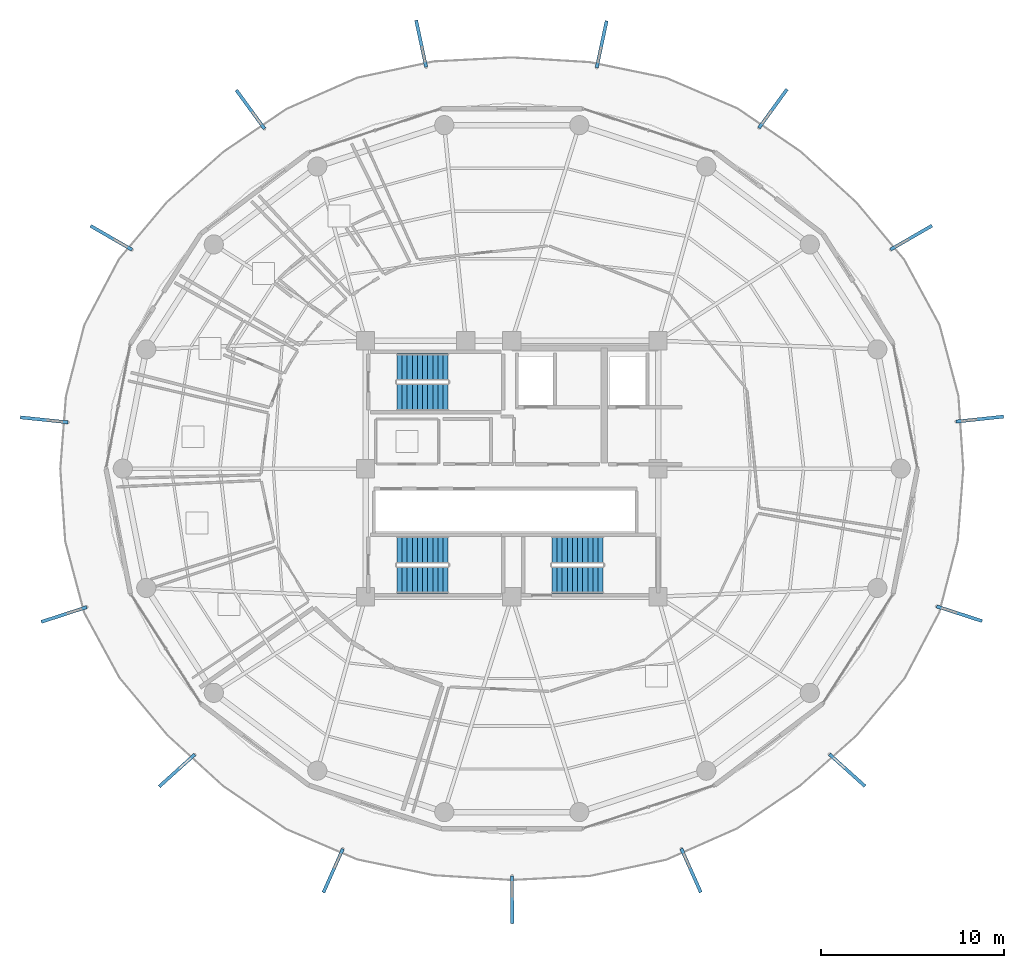
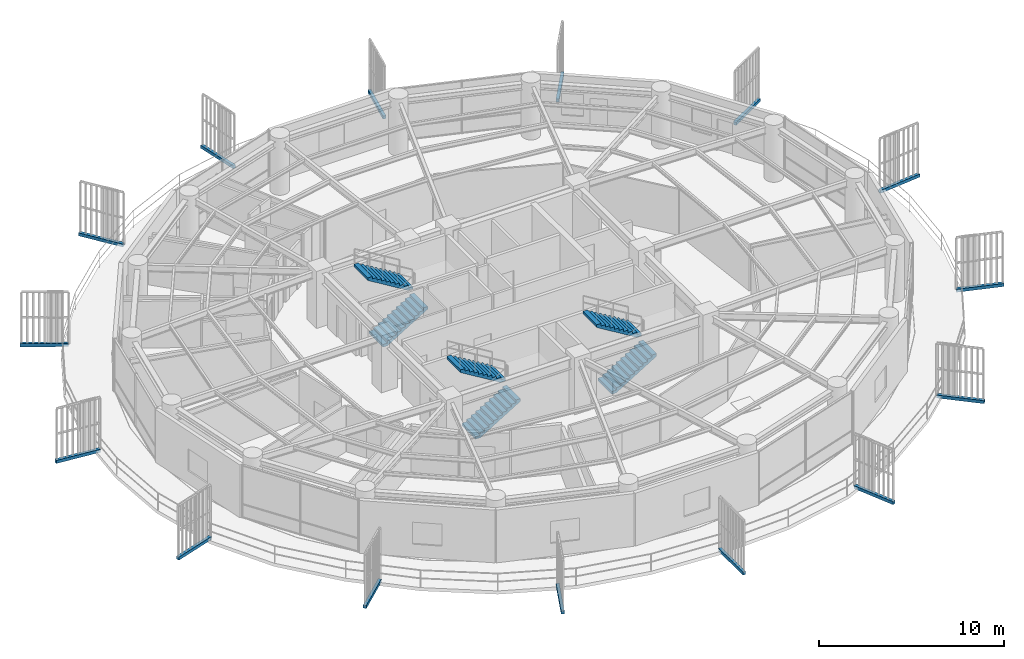
# One storey, part 27 of 31: 15 discrete accessories, 6 stair flights, 3 elements without a shape of their own.
"""IFC4 building model written with IfcOpenShell, lengths in metres."""

from ifc_helpers import new_model, si_unit, direction, frame, origin, origin_2d, place, context, subcontext, project, spatial, polyline, rectangle, outline, extrude, source, transform, mapped, material, type_object, element, aggregate, save


model = new_model("IFC4")

# Units and contexts
model_context = context("Model", 3, precision=1e-05, world=origin(), true_north=direction((0.0, 1.0)))
body_context = subcontext(model_context, "Body", "Model", "MODEL_VIEW")
ifc_project = project(units=[si_unit("LENGTHUNIT", "METRE"), si_unit("AREAUNIT", "SQUARE_METRE"), si_unit("VOLUMEUNIT", "CUBIC_METRE"), si_unit("PLANEANGLEUNIT", "RADIAN"), si_unit("MASSUNIT", "GRAM", prefix="KILO")], contexts=[model_context])

# Site, building, storey
site_placement = place(None, origin())
site = spatial("IfcSite", under=ifc_project, at=site_placement, CompositionType="ELEMENT")
building_placement = place(site_placement, origin())
building = spatial("IfcBuilding", under=site, at=building_placement, Name="Kelanora Arch Commons", CompositionType="ELEMENT")
storey_placement = place(building_placement, frame((0.0, 0.0, 226.949951171875)))
storey = spatial("IfcBuildingStorey", under=building, at=storey_placement, Name="L58", CompositionType="ELEMENT", Elevation=226.949951171875)

# Stair, stair flights
ifc_material_1 = material(Name="Concrete C40/50", Category="concrete")
stair_type = type_object("IfcStairType", Name="STR-DL-375", PredefinedType="HALF_TURN_STAIR", material=ifc_material_1)
stair_1_placement = place(storey_placement, origin())
stair_1 = element("IfcStair", 1, at=stair_1_placement, inside=storey, type_object=stair_type, Name="L58 ST-T1", PredefinedType="HALF_TURN_STAIR")
stair_flight_type = type_object("IfcStairFlightType", Name="FLT-DL-375", PredefinedType="STRAIGHT", material=ifc_material_1)
stair_flight_1_placement = place(storey_placement, frame((67.719970703125, 61.919921875, 0.0), z_axis=(0.0, 0.0, 1.0), x_axis=(1.0, 0.0, 0.0)))
stair_flight_1 = element("IfcStairFlight", 2, at=stair_flight_1_placement, type_object=stair_flight_type, Name="ST-T1 flight 1", NumberOfRisers=11, NumberOfTreads=10, PredefinedType="STRAIGHT", RiserHeight=0.170454545, TreadLength=0.28, context=body_context, shape_type="SweptSolid", body=[
    extrude(outline(polyline([(0.0, 0.0), (0.0, 0.17041015625), (0.280029296875, 0.17041015625), (0.280029296875, 0.3408203125), (0.56005859375, 0.3408203125), (0.56005859375, 0.511474609375), (0.840087890625, 0.511474609375), (0.840087890625, 0.681884765625), (1.1201171875, 0.681884765625), (1.1201171875, 0.852294921875), (1.39990234375, 0.852294921875), (1.39990234375, 1.022705078125), (1.679931640625, 1.022705078125), (1.679931640625, 1.193115234375), (1.9599609375, 1.193115234375), (1.9599609375, 1.363525390625), (2.239990234375, 1.363525390625), (2.239990234375, 1.5341796875), (2.52001953125, 1.5341796875), (2.52001953125, 1.70458984375), (2.800048828125, 1.70458984375), (2.800048828125, 1.875), (2.800048828125, 1.529052734375), (0.288330078125, 0.0), (0.0, 0.0)])), frame((0.0, 0.739990234375, 0.0), z_axis=(0.0, -1.0, 0.0), x_axis=(1.0, 0.0, 0.0)), (0.0, 0.0, 1.0), 1.47998046875),
])
stair_flight_2_placement = place(storey_placement, frame((70.52001953125, 63.550048828125, 1.875), z_axis=(0.0, 0.0, 1.0), x_axis=(-1.0, 0.0, 0.0)))
stair_flight_2 = element("IfcStairFlight", 3, at=stair_flight_2_placement, type_object=stair_flight_type, Name="ST-T1 flight 2", NumberOfRisers=11, NumberOfTreads=10, PredefinedType="STRAIGHT", RiserHeight=0.170454545, TreadLength=0.28, context=body_context, shape_type="SweptSolid", body=[
    extrude(outline(polyline([(0.0, 0.0), (0.0, 0.17041015625), (0.280029296875, 0.17041015625), (0.280029296875, 0.3408203125), (0.56005859375, 0.3408203125), (0.56005859375, 0.511474609375), (0.840087890625, 0.511474609375), (0.840087890625, 0.681884765625), (1.1201171875, 0.681884765625), (1.1201171875, 0.852294921875), (1.39990234375, 0.852294921875), (1.39990234375, 1.022705078125), (1.679931640625, 1.022705078125), (1.679931640625, 1.193115234375), (1.9599609375, 1.193115234375), (1.9599609375, 1.363525390625), (2.239990234375, 1.363525390625), (2.239990234375, 1.5341796875), (2.52001953125, 1.5341796875), (2.52001953125, 1.70458984375), (2.800048828125, 1.70458984375), (2.800048828125, 1.875), (2.800048828125, 1.529052734375), (0.288330078125, 0.0), (0.0, 0.0)])), frame((0.0, 0.739990234375, 0.0), z_axis=(0.0, -1.0, 0.0), x_axis=(1.0, 0.0, 0.0)), (0.0, 0.0, 1.0), 1.47998046875),
])
aggregate(stair_1, [stair_flight_1, stair_flight_2])

stair_2_placement = place(storey_placement, origin())
stair_2 = element("IfcStair", 4, at=stair_2_placement, inside=storey, type_object=stair_type, Name="L58 ST-T2", PredefinedType="HALF_TURN_STAIR")
stair_flight_3_placement = place(storey_placement, frame((76.199951171875, 51.919921875, 0.0), z_axis=(0.0, 0.0, 1.0), x_axis=(1.0, 0.0, 0.0)))
stair_flight_3 = element("IfcStairFlight", 5, at=stair_flight_3_placement, type_object=stair_flight_type, Name="ST-T2 flight 1", NumberOfRisers=11, NumberOfTreads=10, PredefinedType="STRAIGHT", RiserHeight=0.170454545, TreadLength=0.28, context=body_context, shape_type="SweptSolid", body=[
    extrude(outline(polyline([(0.0, 0.0), (0.0, 0.17041015625), (0.280029296875, 0.17041015625), (0.280029296875, 0.3408203125), (0.56005859375, 0.3408203125), (0.56005859375, 0.511474609375), (0.840087890625, 0.511474609375), (0.840087890625, 0.681884765625), (1.1201171875, 0.681884765625), (1.1201171875, 0.852294921875), (1.39990234375, 0.852294921875), (1.39990234375, 1.022705078125), (1.679931640625, 1.022705078125), (1.679931640625, 1.193115234375), (1.9599609375, 1.193115234375), (1.9599609375, 1.363525390625), (2.239990234375, 1.363525390625), (2.239990234375, 1.5341796875), (2.52001953125, 1.5341796875), (2.52001953125, 1.70458984375), (2.800048828125, 1.70458984375), (2.800048828125, 1.875), (2.800048828125, 1.529052734375), (0.288330078125, 0.0), (0.0, 0.0)])), frame((0.0, 0.739990234375, 0.0), z_axis=(0.0, -1.0, 0.0), x_axis=(1.0, 0.0, 0.0)), (0.0, 0.0, 1.0), 1.47998046875),
])
stair_flight_4_placement = place(storey_placement, frame((79.0, 53.550048828125, 1.875), z_axis=(0.0, 0.0, 1.0), x_axis=(-1.0, 0.0, 0.0)))
stair_flight_4 = element("IfcStairFlight", 6, at=stair_flight_4_placement, type_object=stair_flight_type, Name="ST-T2 flight 2", NumberOfRisers=11, NumberOfTreads=10, PredefinedType="STRAIGHT", RiserHeight=0.170454545, TreadLength=0.28, context=body_context, shape_type="SweptSolid", body=[
    extrude(outline(polyline([(0.0, 0.0), (0.0, 0.17041015625), (0.280029296875, 0.17041015625), (0.280029296875, 0.3408203125), (0.56005859375, 0.3408203125), (0.56005859375, 0.511474609375), (0.840087890625, 0.511474609375), (0.840087890625, 0.681884765625), (1.1201171875, 0.681884765625), (1.1201171875, 0.852294921875), (1.39990234375, 0.852294921875), (1.39990234375, 1.022705078125), (1.679931640625, 1.022705078125), (1.679931640625, 1.193115234375), (1.9599609375, 1.193115234375), (1.9599609375, 1.363525390625), (2.239990234375, 1.363525390625), (2.239990234375, 1.5341796875), (2.52001953125, 1.5341796875), (2.52001953125, 1.70458984375), (2.800048828125, 1.70458984375), (2.800048828125, 1.875), (2.800048828125, 1.529052734375), (0.288330078125, 0.0), (0.0, 0.0)])), frame((0.0, 0.739990234375, 0.0), z_axis=(0.0, -1.0, 0.0), x_axis=(1.0, 0.0, 0.0)), (0.0, 0.0, 1.0), 1.47998046875),
])
aggregate(stair_2, [stair_flight_3, stair_flight_4])

stair_3_placement = place(storey_placement, origin())
stair_3 = element("IfcStair", 7, at=stair_3_placement, inside=storey, type_object=stair_type, Name="L58 ST-T3", PredefinedType="HALF_TURN_STAIR")
stair_flight_5_placement = place(storey_placement, frame((67.719970703125, 51.919921875, 0.0), z_axis=(0.0, 0.0, 1.0), x_axis=(1.0, 0.0, 0.0)))
stair_flight_5 = element("IfcStairFlight", 8, at=stair_flight_5_placement, type_object=stair_flight_type, Name="ST-T3 flight 1", NumberOfRisers=11, NumberOfTreads=10, PredefinedType="STRAIGHT", RiserHeight=0.170454545, TreadLength=0.28, context=body_context, shape_type="SweptSolid", body=[
    extrude(outline(polyline([(0.0, 0.0), (0.0, 0.17041015625), (0.280029296875, 0.17041015625), (0.280029296875, 0.3408203125), (0.56005859375, 0.3408203125), (0.56005859375, 0.511474609375), (0.840087890625, 0.511474609375), (0.840087890625, 0.681884765625), (1.1201171875, 0.681884765625), (1.1201171875, 0.852294921875), (1.39990234375, 0.852294921875), (1.39990234375, 1.022705078125), (1.679931640625, 1.022705078125), (1.679931640625, 1.193115234375), (1.9599609375, 1.193115234375), (1.9599609375, 1.363525390625), (2.239990234375, 1.363525390625), (2.239990234375, 1.5341796875), (2.52001953125, 1.5341796875), (2.52001953125, 1.70458984375), (2.800048828125, 1.70458984375), (2.800048828125, 1.875), (2.800048828125, 1.529052734375), (0.288330078125, 0.0), (0.0, 0.0)])), frame((0.0, 0.739990234375, 0.0), z_axis=(0.0, -1.0, 0.0), x_axis=(1.0, 0.0, 0.0)), (0.0, 0.0, 1.0), 1.47998046875),
])
stair_flight_6_placement = place(storey_placement, frame((70.52001953125, 53.550048828125, 1.875), z_axis=(0.0, 0.0, 1.0), x_axis=(-1.0, 0.0, 0.0)))
stair_flight_6 = element("IfcStairFlight", 9, at=stair_flight_6_placement, type_object=stair_flight_type, Name="ST-T3 flight 2", NumberOfRisers=11, NumberOfTreads=10, PredefinedType="STRAIGHT", RiserHeight=0.170454545, TreadLength=0.28, context=body_context, shape_type="SweptSolid", body=[
    extrude(outline(polyline([(0.0, 0.0), (0.0, 0.17041015625), (0.280029296875, 0.17041015625), (0.280029296875, 0.3408203125), (0.56005859375, 0.3408203125), (0.56005859375, 0.511474609375), (0.840087890625, 0.511474609375), (0.840087890625, 0.681884765625), (1.1201171875, 0.681884765625), (1.1201171875, 0.852294921875), (1.39990234375, 0.852294921875), (1.39990234375, 1.022705078125), (1.679931640625, 1.022705078125), (1.679931640625, 1.193115234375), (1.9599609375, 1.193115234375), (1.9599609375, 1.363525390625), (2.239990234375, 1.363525390625), (2.239990234375, 1.5341796875), (2.52001953125, 1.5341796875), (2.52001953125, 1.70458984375), (2.800048828125, 1.70458984375), (2.800048828125, 1.875), (2.800048828125, 1.529052734375), (0.288330078125, 0.0), (0.0, 0.0)])), frame((0.0, 0.739990234375, 0.0), z_axis=(0.0, -1.0, 0.0), x_axis=(1.0, 0.0, 0.0)), (0.0, 0.0, 1.0), 1.47998046875),
])
aggregate(stair_3, [stair_flight_5, stair_flight_6])

# Discrete accessories
ifc_material_2 = material(Name="Stainless steel 316 marine fin bracket", Category="steel")
discrete_accessory_type = type_object("IfcDiscreteAccessoryType", Name="ACC-FIN-BRK", PredefinedType="BRACKET", material=ifc_material_2)
shared_shape = source(origin(), body_context, "Body", "SweptSolid", [
    extrude(rectangle(XDim=2.615478515625, YDim=0.179931640625, at=origin_2d()), origin(), (0.0, 0.0, 1.0), 0.199951171875),
])
for number, where, z_axis, x_axis, name in (
    (10, (92.346435546875, 41.505126953125, -0.16015625), (0.0, 0.0, 1.0), (0.743611785628, -0.668611630377, 0.0), "Sweeping Fin Cantilever Spine Bracket L58-00"),
    (11, (98.4853515625, 50.06396484375, -0.16015625), (0.0, 0.0, 1.0), (0.951272019071, -0.30835295642, 0.0), "Sweeping Fin Cantilever Spine Bracket L58-01"),
    (12, (99.60546875, 60.710205078125, -0.16015625), (0.0, 0.0, 1.0), (0.994448678381, 0.105222745001, 0.0), "Sweeping Fin Cantilever Spine Bracket L58-02"),
    (13, (95.8544921875, 70.638916015625, -0.16015625), (0.0, 0.0, 1.0), (0.865676126917, 0.500604477892, 0.0), "Sweeping Fin Cantilever Spine Bracket L58-03"),
    (14, (88.2890625, 77.697509765625, -0.16015625), (0.0, 0.0, 1.0), (0.587220308688, 0.809427148707, 0.0), "Sweeping Fin Cantilever Spine Bracket L58-04"),
    (15, (78.916748046875, 81.21533203125, -0.16015625), (0.0, 0.0, 1.0), (0.207228764358, 0.978292512096, 0.0), "Sweeping Fin Cantilever Spine Bracket L58-05"),
    (16, (69.041259765625, 81.24560546875, -0.16015625), (0.0, 0.0, 1.0), (-0.208594515944, 0.978002212635, 0.0), "Sweeping Fin Cantilever Spine Bracket L58-06"),
    (17, (59.700439453125, 77.651123046875, -0.16015625), (0.0, 0.0, 1.0), (-0.588349909417, 0.808606445738, 0.0), "Sweeping Fin Cantilever Spine Bracket L58-07"),
    (18, (52.091796875, 70.627197265625, -0.16015625), (0.0, 0.0, 1.0), (-0.866374258561, 0.499395278414, 0.0), "Sweeping Fin Cantilever Spine Bracket L58-08"),
    (19, (48.41796875, 60.669921875, -0.16015625), (0.0, 0.0, 1.0), (-0.994594627637, 0.103834130589, 0.0), "Sweeping Fin Cantilever Spine Bracket L58-09"),
    (20, (49.50927734375, 50.022705078125, -0.16015625), (0.0, 0.0, 1.0), (-0.950840549986, -0.309680881719, 0.0), "Sweeping Fin Cantilever Spine Bracket L58-10"),
    (21, (55.68310546875, 41.483154296875, -0.16015625), (0.0, 0.0, 1.0), (-0.742677503127, -0.669649256215, 0.0), "Sweeping Fin Cantilever Spine Bracket L58-11"),
    (22, (64.2275390625, 36.00732421875, -0.16015625), (0.0, 0.0, 1.0), (-0.406098768964, -0.913829190738, 0.0), "Sweeping Fin Cantilever Spine Bracket L58-12"),
    (23, (74.017333984375, 34.414306640625, -0.16015625), (0.0, 0.0, 1.0), (0.000698131644, -0.999999756306, 0.0), "Sweeping Fin Cantilever Spine Bracket L58-13"),
    (24, (83.805908203125, 36.01904296875, -0.16015625), (0.0, 0.0, 1.0), (0.407374318949, -0.913261279296, 0.0), "Sweeping Fin Cantilever Spine Bracket L58-14"),
):
    element("IfcDiscreteAccessory", number, at=place(storey_placement, frame(where, z_axis=z_axis, x_axis=x_axis)), inside=storey, type_object=discrete_accessory_type, Name=name, PredefinedType="BRACKET", context=body_context, shape_type="MappedRepresentation", body=[
        mapped(shared_shape, transform((0.0, 0.0, 0.0), scale=1.0)),
    ])

save(model, "model.ifc")
